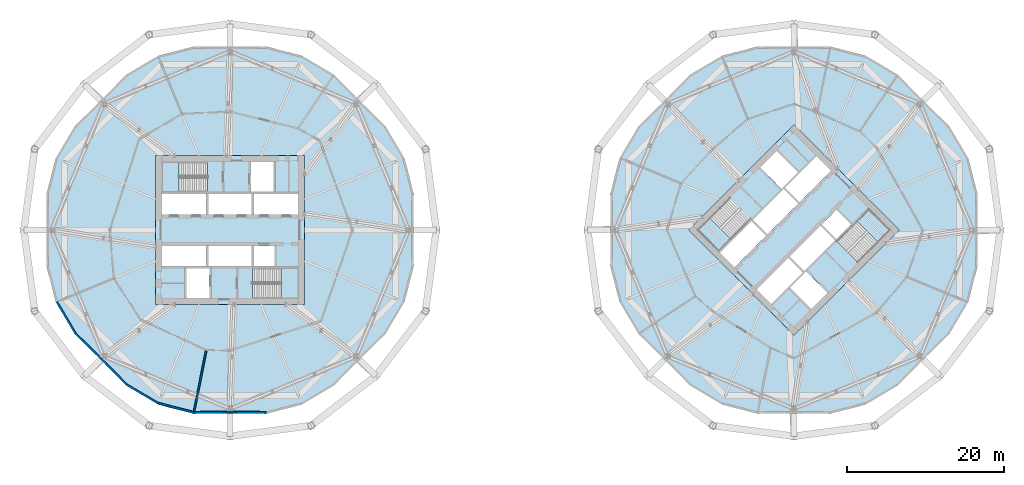
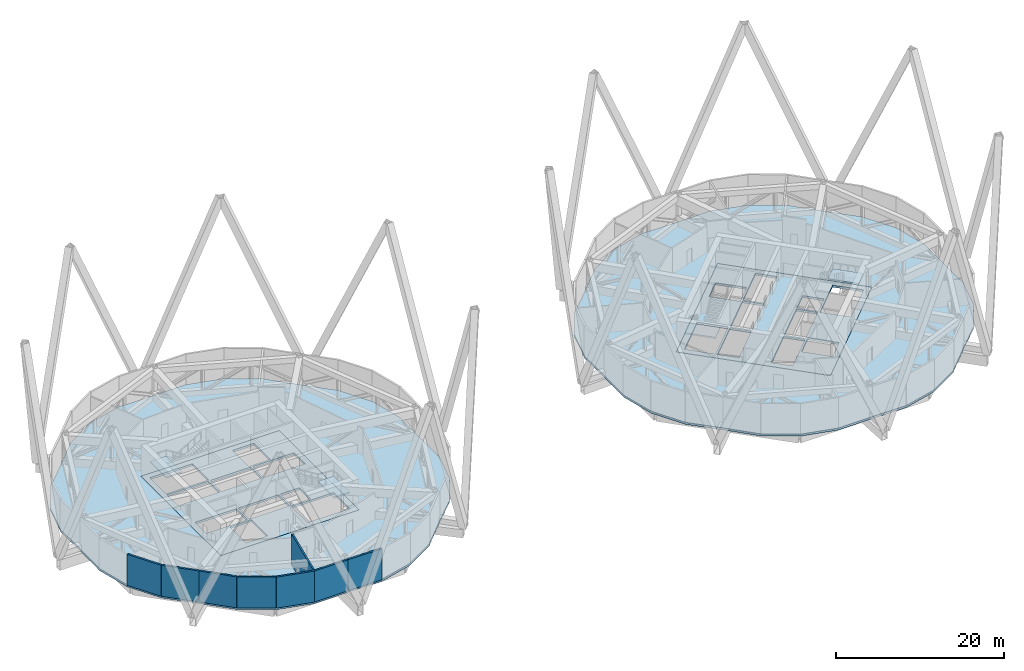
# One storey, part 13 of 21: 8 slabs, 8 walls, 4 elements without a shape of their own.
"""IFC4 building model written with IfcOpenShell, lengths in metres."""

import ifcopenshell
import ifcopenshell.guid

model = None  # the IFC model being written
_history = None  # IfcOwnerHistory: only IFC2X3 demands one
_inside = {}  # id of a spatial element -> (the spatial element, [elements in it])
_under = {}  # id of a project, library or spatial element -> (it, [spatial elements below it])
_declared = {}  # id of a project -> (the project, [libraries it declares])
_typed = {}  # id of a type object -> (the type object, [elements of that type])
_made_of = {}  # id of a material, layer set ... -> (it, [elements and type objects made of it])


def new_model(schema):
    """Start an empty IFC model of exactly this schema.

    Asked for "IFC4X3", IfcOpenShell would pick the latest addendum, in which some entities
    have other attributes; the version numbers below select the first issue.
    IFC2X3 requires an IfcOwnerHistory on every rooted entity: one is made here for all.
    """
    global model, _history
    if schema == "IFC4X3":
        model = ifcopenshell.file(schema_version=(4, 3, 0, 0))
    else:
        model = ifcopenshell.file(schema=schema)
    _inside.clear()
    _under.clear()
    _declared.clear()
    _typed.clear()
    _made_of.clear()
    _history = None
    if model.schema == "IFC2X3":
        org = make("IfcOrganization", Name="unknown")
        user = make(
            "IfcPersonAndOrganization",
            ThePerson=make("IfcPerson", FamilyName="unknown"),
            TheOrganization=org,
        )
        app = make(
            "IfcApplication",
            ApplicationDeveloper=org,
            Version="unknown",
            ApplicationFullName="unknown",
            ApplicationIdentifier="unknown",
        )
        _history = make(
            "IfcOwnerHistory",
            OwningUser=user,
            OwningApplication=app,
            ChangeAction="ADDED",
            CreationDate=0,
        )
    return model


def make(cls, **values):
    """One entity of the class cls with the attributes given. An attribute that is None is left unset."""
    return model.create_entity(
        cls, **{name: value for name, value in values.items() if value is not None}
    )


def rooted(cls, **values):
    """An entity with a GlobalId (a new one), such as an element, a storey or a relation."""
    return make(cls, GlobalId=ifcopenshell.guid.new(), OwnerHistory=_history, **values)


def si_unit(unit_type, name, prefix=None):
    """IfcSIUnit, for example si_unit("LENGTHUNIT", "METRE", prefix="MILLI")."""
    return make("IfcSIUnit", UnitType=unit_type, Prefix=prefix, Name=name)


def assignment(units):
    """IfcUnitAssignment: the units of a project."""
    return None if units is None else make("IfcUnitAssignment", Units=units)


def point(xyz):
    """IfcCartesianPoint."""
    return None if xyz is None else make("IfcCartesianPoint", Coordinates=xyz)


def direction(xyz):
    """IfcDirection."""
    return None if xyz is None else make("IfcDirection", DirectionRatios=xyz)


def frame(location, z_axis=None, x_axis=None):
    """IfcAxis2Placement3D, a coordinate frame: its origin and axes. An axis left out is left unset."""
    return make(
        "IfcAxis2Placement3D",
        Location=point(location),
        Axis=direction(z_axis),
        RefDirection=direction(x_axis),
    )


def frame_2d(location, x_axis=None):
    """IfcAxis2Placement2D, a coordinate frame in the plane: its origin and x axis."""
    return make(
        "IfcAxis2Placement2D", Location=point(location), RefDirection=direction(x_axis)
    )


def origin():
    """The frame at (0, 0, 0) with its axes left unset."""
    return frame((0.0, 0.0, 0.0))


def place(relative_to, where):
    """IfcLocalPlacement: puts the frame where relative to a parent placement (None: the world)."""
    return make(
        "IfcLocalPlacement", PlacementRelTo=relative_to, RelativePlacement=where
    )


def context(
    kind, dimensions, precision=None, world=None, true_north=None, identifier=None
):
    """IfcGeometricRepresentationContext, for example the 3D "Model" context."""
    return make(
        "IfcGeometricRepresentationContext",
        ContextIdentifier=identifier,
        ContextType=kind,
        CoordinateSpaceDimension=dimensions,
        Precision=precision,
        WorldCoordinateSystem=world,
        TrueNorth=true_north,
    )


def subcontext(parent, identifier, kind, view, scale=None):
    """IfcGeometricRepresentationSubContext, for example "Body" below "Model"."""
    return make(
        "IfcGeometricRepresentationSubContext",
        ContextIdentifier=identifier,
        ContextType=kind,
        ParentContext=parent,
        TargetScale=scale,
        TargetView=view,
    )


def project(units=None, contexts=None):
    """IfcProject with its units and contexts."""
    return rooted(
        "IfcProject",
        Name="project",
        RepresentationContexts=contexts,
        UnitsInContext=assignment(units),
    )


def spatial(cls, under=None, at=None, **own):
    """A site, building, storey or space (cls), placed at a placement, below another one or the project."""
    s = rooted(cls, ObjectPlacement=at, **own)
    if under is not None:
        _under.setdefault(under.id(), (under, []))[1].append(s)
    return s


def polyline(points):
    """IfcPolyline through the points."""
    return make("IfcPolyline", Points=[point(p) for p in points])


def profile(cls, at=None, kind="AREA", **sizes):
    """A parametric profile (cls). Its sizes go by their IFC names, for example OverallWidth=200.0."""
    return make(cls, ProfileType=kind, Position=at, **sizes)


def rectangle(**sizes):
    """IfcRectangleProfileDef."""
    return profile("IfcRectangleProfileDef", **sizes)


def outline(outer, holes=None, kind="AREA"):
    """IfcArbitraryClosedProfileDef: a profile drawn as a closed curve; with holes, ...WithVoids."""
    if holes is None:
        return make("IfcArbitraryClosedProfileDef", ProfileType=kind, OuterCurve=outer)
    return make(
        "IfcArbitraryProfileDefWithVoids",
        ProfileType=kind,
        OuterCurve=outer,
        InnerCurves=holes,
    )


def extrude(swept, where, along, depth):
    """IfcExtrudedAreaSolid: the profile swept, set in the frame where, extruded along a direction by depth."""
    return make(
        "IfcExtrudedAreaSolid",
        SweptArea=swept,
        Position=where,
        ExtrudedDirection=direction(along),
        Depth=depth,
    )


def shape(context_of_items, identifier, shape_type, items):
    """IfcShapeRepresentation: the items that make up one representation, for example the "Body"."""
    return make(
        "IfcShapeRepresentation",
        ContextOfItems=context_of_items,
        RepresentationIdentifier=identifier,
        RepresentationType=shape_type,
        Items=items,
    )


def material(Name=None, Category=None):
    """IfcMaterial."""
    return make("IfcMaterial", Name=Name, Category=Category)


def layer(
    of_material, thickness, ventilated=None, Name=None, Category=None, Priority=None
):
    """IfcMaterialLayer: one layer of a wall or slab, of a material (None: an air gap)."""
    return make(
        "IfcMaterialLayer",
        Material=of_material,
        LayerThickness=thickness,
        IsVentilated=ventilated,
        Name=Name,
        Category=Category,
        Priority=Priority,
    )


def layer_set(layers, Name=None):
    """IfcMaterialLayerSet."""
    return make("IfcMaterialLayerSet", MaterialLayers=layers, LayerSetName=Name)


def made_of(thing, what):
    """Note that an element or type object is made of a material, layer set ...; save() writes the relation."""
    if what is not None:
        _made_of.setdefault(what.id(), (what, []))[1].append(thing)
    return thing


def type_object(cls, material=None, **own):
    """A type object (cls), such as IfcWallType, which elements share."""
    return made_of(rooted(cls, **own), material)


def element(
    cls,
    number,
    at=None,
    inside=None,
    cuts=None,
    type_object=None,
    material=None,
    context=None,
    identifier="Body",
    shape_type=None,
    held_by="IfcProductDefinitionShape",
    body=None,
    shapes=None,
    **own,
):
    """One element of the class cls, such as IfcWall. Its Tag is "e" and its number.

    at: its placement. inside: the storey or other place that contains it. cuts: it is an
    opening in that element (IfcRelVoidsElement). A single representation is given by context,
    identifier, shape_type and body (its items); several are given by shapes. held_by: the class
    of the entity that holds the representations. save() writes the other relations.
    """
    e = rooted(cls, Tag="e%d" % number, ObjectPlacement=at, **own)
    if body is not None:
        shapes = [shape(context, identifier, shape_type, body)]
    if shapes is not None:
        e.Representation = make(held_by, Representations=shapes)
    if inside is not None:
        _inside.setdefault(inside.id(), (inside, []))[1].append(e)
    if cuts is not None:
        rooted(
            "IfcRelVoidsElement", RelatingBuildingElement=cuts, RelatedOpeningElement=e
        )
    if type_object is not None:
        _typed.setdefault(type_object.id(), (type_object, []))[1].append(e)
    return made_of(e, material)


def aggregate(whole, parts):
    """IfcRelAggregates: a whole, such as a stair, and the parts it consists of."""
    return rooted("IfcRelAggregates", RelatingObject=whole, RelatedObjects=parts)


def save(model, path):
    """Write the relations noted so far, then the file.

    IfcRelAggregates (storeys below a building ...), IfcRelContainedInSpatialStructure (elements
    in a storey), IfcRelDefinesByType, IfcRelAssociatesMaterial and IfcRelDeclares: one each for
    every whole, place, type object, material and project.
    """
    for whole, parts in _under.values():
        aggregate(whole, parts)
    for where, things in _inside.values():
        rooted(
            "IfcRelContainedInSpatialStructure",
            RelatedElements=things,
            RelatingStructure=where,
        )
    for kind, things in _typed.values():
        rooted("IfcRelDefinesByType", RelatedObjects=things, RelatingType=kind)
    for what, things in _made_of.values():
        rooted("IfcRelAssociatesMaterial", RelatedObjects=things, RelatingMaterial=what)
    for by, libraries in _declared.values():
        rooted("IfcRelDeclares", RelatingContext=by, RelatedDefinitions=libraries)
    model.write(path)


model = new_model("IFC4")

# Units and contexts
model_context = context("Model", 3, precision=1e-05, world=origin(), true_north=direction((0.0, 1.0)))
body_context = subcontext(model_context, "Body", "Model", "MODEL_VIEW")
ifc_project = project(units=[si_unit("LENGTHUNIT", "METRE"), si_unit("AREAUNIT", "SQUARE_METRE"), si_unit("VOLUMEUNIT", "CUBIC_METRE"), si_unit("PLANEANGLEUNIT", "RADIAN"), si_unit("MASSUNIT", "GRAM", prefix="KILO")], contexts=[model_context])

# Site, building, storey
site_placement = place(None, origin())
site = spatial("IfcSite", under=ifc_project, at=site_placement, CompositionType="ELEMENT")
building_placement = place(site_placement, origin())
building = spatial("IfcBuilding", under=site, at=building_placement, Name="Ogive Gate Towers", CompositionType="ELEMENT")
storey_placement = place(building_placement, frame((0.0, 0.0, 71.39990234375)))
storey = spatial("IfcBuildingStorey", under=building, at=storey_placement, Name="L16", CompositionType="ELEMENT", Elevation=71.39990234375)

# Slabs
ifc_material_1 = material(Name="Concrete C40/50", Category="concrete")
ifc_layer_1 = layer(ifc_material_1, 0.300048828125)
ifc_layer_set_1 = layer_set([ifc_layer_1], Name="Core slab C40/50 300 mm")
slab_type_1 = type_object("IfcSlabType", Name="Core slab C40/50 300 mm", PredefinedType="FLOOR", material=ifc_layer_set_1)
slab_1_placement = place(storey_placement, frame((0.0, 0.0, -0.2998046875)))
element("IfcSlab", 1, at=slab_1_placement, inside=storey, type_object=slab_type_1, Name="T1 L16 core slab", PredefinedType="FLOOR", context=body_context, shape_type="SweptSolid", body=[
    extrude(outline(polyline([(-26.5, 9.5), (-26.5, -9.5), (-45.5, -9.5), (-45.5, 9.5), (-26.5, 9.5)]), holes=[polyline([(-39.02490234375, 4.625), (-44.699951171875, 4.625), (-44.699951171875, 2.0), (-39.02490234375, 2.0), (-39.02490234375, 4.625)]), polyline([(-33.22509765625, 2.0), (-33.22509765625, 4.625), (-38.77490234375, 4.625), (-38.77490234375, 2.0), (-33.22509765625, 2.0)]), polyline([(-32.97509765625, 2.0), (-27.300048828125, 2.0), (-27.300048828125, 4.625), (-32.97509765625, 4.625), (-32.97509765625, 2.0)]), polyline([(-44.699951171875, -2.0), (-44.699951171875, -4.625), (-39.02490234375, -4.625), (-39.02490234375, -2.0), (-44.699951171875, -2.0)]), polyline([(-33.22509765625, -2.0), (-38.77490234375, -2.0), (-38.77490234375, -4.625), (-33.22509765625, -4.625), (-33.22509765625, -2.0)]), polyline([(-30.324951171875, -4.625), (-30.324951171875, -2.0), (-32.97509765625, -2.0), (-32.97509765625, -4.625), (-30.324951171875, -4.625)]), polyline([(-33.375, 4.875), (-30.425048828125, 4.875), (-30.425048828125, 8.699951171875), (-33.375, 8.699951171875), (-33.375, 4.875)]), polyline([(-41.574951171875, -4.875), (-41.574951171875, -8.699951171875), (-38.625, -8.699951171875), (-38.625, -4.875), (-41.574951171875, -4.875)]), polyline([(-44.699951171875, 4.875), (-38.885009765625, 4.875), (-38.885009765625, 8.699951171875), (-44.699951171875, 8.699951171875), (-44.699951171875, 4.875)]), polyline([(-27.300048828125, -8.699951171875), (-27.300048828125, -4.875), (-33.114990234375, -4.875), (-33.114990234375, -8.699951171875), (-27.300048828125, -8.699951171875)])]), origin(), (0.0, 0.0, 1.0), 0.2998046875),
])
slab_2_placement = place(storey_placement, frame((0.0, 0.0, -0.2998046875)))
element("IfcSlab", 2, at=slab_2_placement, inside=storey, type_object=slab_type_1, Name="T2 L16 core slab", PredefinedType="FLOOR", context=body_context, shape_type="SweptSolid", body=[
    extrude(outline(polyline([(36.0, 13.43505859375), (49.43505859375, 0.0), (36.0, -13.43505859375), (22.56494140625, 0.0), (36.0, 13.43505859375)]), holes=[polyline([(30.590576171875, 1.13134765625), (26.577880859375, -2.881591796875), (28.43408203125, -4.737548828125), (32.44677734375, -0.724853515625), (30.590576171875, 1.13134765625)]), polyline([(36.548095703125, 3.37646484375), (34.69189453125, 5.232666015625), (30.767333984375, 1.30810546875), (32.62353515625, -0.548095703125), (36.548095703125, 3.37646484375)]), polyline([(36.724853515625, 3.55322265625), (40.737548828125, 7.56591796875), (38.881591796875, 9.422119140625), (34.86865234375, 5.409423828125), (36.724853515625, 3.55322265625)]), polyline([(31.262451171875, -7.56591796875), (33.118408203125, -9.422119140625), (37.13134765625, -5.409423828125), (35.275146484375, -3.55322265625), (31.262451171875, -7.56591796875)]), polyline([(39.37646484375, 0.548095703125), (35.451904296875, -3.37646484375), (37.30810546875, -5.232666015625), (41.232666015625, -1.30810546875), (39.37646484375, 0.548095703125)]), polyline([(43.283203125, 0.742431640625), (41.427001953125, 2.5986328125), (39.55322265625, 0.724853515625), (41.409423828125, -1.13134765625), (43.283203125, 0.742431640625)]), polyline([(34.408935546875, 5.30322265625), (36.4951171875, 7.389404296875), (33.790283203125, 10.093994140625), (31.704345703125, 8.008056640625), (34.408935546875, 5.30322265625)]), polyline([(35.5048828125, -7.389404296875), (38.209716796875, -10.093994140625), (40.295654296875, -8.008056640625), (37.591064453125, -5.30322265625), (35.5048828125, -7.389404296875)]), polyline([(26.40087890625, -2.70458984375), (30.512939453125, 1.406982421875), (27.80810546875, 4.11181640625), (23.6962890625, 0.0), (26.40087890625, -2.70458984375)]), polyline([(48.3037109375, 0.0), (45.59912109375, 2.70458984375), (41.487060546875, -1.406982421875), (44.19189453125, -4.11181640625), (48.3037109375, 0.0)])]), origin(), (0.0, 0.0, 1.0), 0.2998046875),
])
ifc_material_2 = material(Name="Concrete C35/45", Category="concrete")
ifc_layer_2 = layer(ifc_material_2, 0.300048828125)
ifc_layer_set_2 = layer_set([ifc_layer_2], Name="Floor slab 300")
slab_type_2 = type_object("IfcSlabType", Name="Floor slab 300", PredefinedType="FLOOR", material=ifc_layer_set_2)
slab_3_placement = place(storey_placement, frame((0.0, 0.0, -0.2998046875)))
element("IfcSlab", 3, at=slab_3_placement, inside=storey, type_object=slab_type_2, Name="T1/L16/SSL001", PredefinedType="FLOOR", context=body_context, shape_type="SweptSolid", body=[
    extrude(outline(polyline([(-12.677001953125, -4.63916015625), (-12.719970703125, 0.0), (-12.677001953125, 4.63916015625), (-13.845458984375, 9.1767578125), (-16.2275390625, 13.21142578125), (-19.53857421875, 16.46142578125), (-22.78857421875, 19.7724609375), (-26.8232421875, 22.154541015625), (-31.36083984375, 23.322998046875), (-36.0, 23.280029296875), (-40.63916015625, 23.322998046875), (-45.1767578125, 22.154541015625), (-49.21142578125, 19.7724609375), (-52.46142578125, 16.46142578125), (-55.7724609375, 13.21142578125), (-58.154541015625, 9.1767578125), (-59.322998046875, 4.63916015625), (-59.280029296875, 0.0), (-59.322998046875, -4.63916015625), (-58.154541015625, -9.1767578125), (-55.7724609375, -13.21142578125), (-52.46142578125, -16.46142578125), (-49.21142578125, -19.7724609375), (-45.1767578125, -22.154541015625), (-40.63916015625, -23.322998046875), (-36.0, -23.280029296875), (-31.36083984375, -23.322998046875), (-26.8232421875, -22.154541015625), (-22.78857421875, -19.7724609375), (-19.53857421875, -16.46142578125), (-16.2275390625, -13.21142578125), (-13.845458984375, -9.1767578125), (-12.677001953125, -4.63916015625)]), holes=[polyline([(-26.5, -9.5), (-45.5, -9.5), (-45.5, 9.5), (-26.5, 9.5), (-26.5, -9.5)])]), origin(), (0.0, 0.0, 1.0), 0.2998046875),
])
slab_4_placement = place(storey_placement, frame((0.0, 0.0, -0.2998046875)))
element("IfcSlab", 4, at=slab_4_placement, inside=storey, type_object=slab_type_2, Name="T2/L16/SSL001", PredefinedType="FLOOR", context=body_context, shape_type="SweptSolid", body=[
    extrude(outline(polyline([(59.322998046875, -4.63916015625), (59.280029296875, 0.0), (59.322998046875, 4.63916015625), (58.154541015625, 9.1767578125), (55.7724609375, 13.21142578125), (52.46142578125, 16.46142578125), (49.21142578125, 19.7724609375), (45.1767578125, 22.154541015625), (40.63916015625, 23.322998046875), (36.0, 23.280029296875), (31.36083984375, 23.322998046875), (26.8232421875, 22.154541015625), (22.78857421875, 19.7724609375), (19.53857421875, 16.46142578125), (16.2275390625, 13.21142578125), (13.845458984375, 9.1767578125), (12.677001953125, 4.63916015625), (12.719970703125, 0.0), (12.677001953125, -4.63916015625), (13.845458984375, -9.1767578125), (16.2275390625, -13.21142578125), (19.53857421875, -16.46142578125), (22.78857421875, -19.7724609375), (26.8232421875, -22.154541015625), (31.36083984375, -23.322998046875), (36.0, -23.280029296875), (40.63916015625, -23.322998046875), (45.1767578125, -22.154541015625), (49.21142578125, -19.7724609375), (52.46142578125, -16.46142578125), (55.7724609375, -13.21142578125), (58.154541015625, -9.1767578125), (59.322998046875, -4.63916015625)]), holes=[polyline([(49.43505859375, 0.0), (36.0, -13.43505859375), (22.56494140625, 0.0), (36.0, 13.43505859375), (49.43505859375, 0.0)])]), origin(), (0.0, 0.0, 1.0), 0.2998046875),
])

# Stair, slab
stair_type = type_object("IfcStairType", Name="Escape stair 1840 wide", PredefinedType="HALF_TURN_STAIR", material=ifc_material_1)
stair_1_placement = place(storey_placement, origin())
stair_1 = element("IfcStair", 5, at=stair_1_placement, inside=storey, type_object=stair_type, Name="L16 Escape stair 1", PredefinedType="HALF_TURN_STAIR")
ifc_layer_3 = layer(ifc_material_1, 0.199951171875)
ifc_layer_set_3 = layer_set([ifc_layer_3], Name="Stair landing 200 mm")
slab_type_3 = type_object("IfcSlabType", Name="Stair landing 200 mm", PredefinedType="LANDING", material=ifc_layer_set_3)
slab_5_placement = place(storey_placement, frame((0.0, 0.0, 2.2001953125)))
slab_5 = element("IfcSlab", 6, at=slab_5_placement, type_object=slab_type_3, Name="ST1 landing 1", PredefinedType="LANDING", context=body_context, shape_type="SweptSolid", body=[
    extrude(outline(polyline([(-42.5048828125, 8.699951171875), (-44.699951171875, 8.699951171875), (-44.699951171875, 4.875), (-42.5048828125, 4.875), (-42.5048828125, 8.699951171875)])), origin(), (0.0, 0.0, 1.0), 0.199951171875),
])
aggregate(stair_1, [slab_5])

stair_2_placement = place(storey_placement, origin())
stair_2 = element("IfcStair", 7, at=stair_2_placement, inside=storey, type_object=stair_type, Name="L16 Escape stair 2", PredefinedType="HALF_TURN_STAIR")
slab_6_placement = place(storey_placement, frame((0.0, 0.0, 2.2001953125)))
slab_6 = element("IfcSlab", 8, at=slab_6_placement, type_object=slab_type_3, Name="ST2 landing 1", PredefinedType="LANDING", context=body_context, shape_type="SweptSolid", body=[
    extrude(outline(polyline([(-29.4951171875, -8.699951171875), (-27.300048828125, -8.699951171875), (-27.300048828125, -4.875), (-29.4951171875, -4.875), (-29.4951171875, -8.699951171875)])), origin(), (0.0, 0.0, 1.0), 0.199951171875),
])
aggregate(stair_2, [slab_6])

stair_3_placement = place(storey_placement, origin())
stair_3 = element("IfcStair", 9, at=stair_3_placement, inside=storey, type_object=stair_type, Name="L16 Escape stair 1", PredefinedType="HALF_TURN_STAIR")
slab_7_placement = place(storey_placement, frame((0.0, 0.0, 2.2001953125)))
slab_7 = element("IfcSlab", 10, at=slab_7_placement, type_object=slab_type_3, Name="ST1 landing 1", PredefinedType="LANDING", context=body_context, shape_type="SweptSolid", body=[
    extrude(outline(polyline([(25.24853515625, 1.552001953125), (23.6962890625, 0.0), (26.401123046875, -2.70458984375), (27.953125, -1.152587890625), (25.24853515625, 1.552001953125)])), origin(), (0.0, 0.0, 1.0), 0.199951171875),
])
aggregate(stair_3, [slab_7])

stair_4_placement = place(storey_placement, origin())
stair_4 = element("IfcStair", 11, at=stair_4_placement, inside=storey, type_object=stair_type, Name="L16 Escape stair 2", PredefinedType="HALF_TURN_STAIR")
slab_8_placement = place(storey_placement, frame((0.0, 0.0, 2.2001953125)))
slab_8 = element("IfcSlab", 12, at=slab_8_placement, type_object=slab_type_3, Name="ST2 landing 1", PredefinedType="LANDING", context=body_context, shape_type="SweptSolid", body=[
    extrude(outline(polyline([(46.75146484375, -1.552001953125), (48.3037109375, 0.0), (45.598876953125, 2.70458984375), (44.046875, 1.152587890625), (46.75146484375, -1.552001953125)])), origin(), (0.0, 0.0, 1.0), 0.199951171875),
])
aggregate(stair_4, [slab_8])

# Walls
ifc_material_3 = material(Name="Fire-rated block compartment wall")
ifc_layer_4 = layer(ifc_material_3, 0.199951171875)
ifc_layer_set_4 = layer_set([ifc_layer_4], Name="Compartment wall 200")
wall_type_1 = type_object("IfcWallType", Name="Compartment wall 200", PredefinedType="PARTITIONING", material=ifc_layer_set_4)
wall_1_placement = place(storey_placement, frame((-40.6318359375, -23.32421875, 0.0), z_axis=(0.0, 0.0, 1.0), x_axis=(0.194793077543, 0.980844359183, 0.0)))
element("IfcWall", 13, at=wall_1_placement, inside=storey, type_object=wall_type_1, Name="Partition T1-L16-004", PredefinedType="PARTITIONING", context=body_context, shape_type="SweptSolid", body=[
    extrude(rectangle(XDim=8.056396484375, YDim=0.199951171875, at=frame_2d((4.0283203125, 0.0))), origin(), (0.0, 0.0, 1.0), 4.5),
])
ifc_material_4 = material(Name="Pale metal aluminium louvre", Category="aluminium")
ifc_layer_5 = layer(ifc_material_4, 0.25)
ifc_layer_set_5 = layer_set([ifc_layer_5], Name="Plant louvre wall")
wall_type_2 = type_object("IfcWallType", Name="Plant louvre wall", PredefinedType="SOLIDWALL", material=ifc_layer_set_5)
wall_2_placement = place(storey_placement, frame((-58.13134765625, -9.1669921875, 0.0), z_axis=(0.0, 0.0, 1.0), x_axis=(0.508451519792, -0.861090617776, 0.0)))
element("IfcWall", 14, at=wall_2_placement, inside=storey, type_object=wall_type_2, Name="Plant louvre wall", PredefinedType="SOLIDWALL", context=body_context, shape_type="SweptSolid", body=[
    extrude(rectangle(XDim=4.6787109375, YDim=0.25, at=frame_2d((2.33935546875, 0.0))), origin(), (0.0, 0.0, 1.0), 4.5),
])
for number, where, z_axis, x_axis, name in (
    (15, (-55.75244140625, -13.19580078125, 0.0), (0.0, 0.0, 1.0), (0.713606087495, -0.700547180345, 0.0), "Plant louvre wall"),
    (16, (-52.44384765625, -16.44384765625, 0.0), (0.0, 0.0, 1.0), (0.700547180345, -0.713606087495, 0.0), "Plant louvre wall"),
):
    element("IfcWall", number, at=place(storey_placement, frame(where, z_axis=z_axis, x_axis=x_axis)), inside=storey, type_object=wall_type_2, Name=name, PredefinedType="SOLIDWALL", context=body_context, shape_type="SweptSolid", body=[
        extrude(rectangle(XDim=4.636474609375, YDim=0.25, at=frame_2d((2.318359375, 0.0))), origin(), (0.0, 0.0, 1.0), 4.5),
    ])
wall_3_placement = place(storey_placement, frame((-49.19580078125, -19.75244140625, 0.0), z_axis=(0.0, 0.0, 1.0), x_axis=(0.861090617776, -0.508451519792, 0.0)))
element("IfcWall", 17, at=wall_3_placement, inside=storey, type_object=wall_type_2, Name="Plant louvre wall", PredefinedType="SOLIDWALL", context=body_context, shape_type="SweptSolid", body=[
    extrude(rectangle(XDim=4.6787109375, YDim=0.25, at=frame_2d((2.33935546875, 0.0))), origin(), (0.0, 0.0, 1.0), 4.5),
])
wall_4_placement = place(storey_placement, frame((-45.1669921875, -22.13134765625, 0.0), z_axis=(0.0, 0.0, 1.0), x_axis=(0.968405489026, -0.249380850957, 0.0)))
element("IfcWall", 18, at=wall_4_placement, inside=storey, type_object=wall_type_2, Name="Plant louvre wall", PredefinedType="SOLIDWALL", context=body_context, shape_type="SweptSolid", body=[
    extrude(rectangle(XDim=4.678466796875, YDim=0.25, at=frame_2d((2.33935546875, 0.0))), origin(), (0.0, 0.0, 1.0), 4.5),
])
for number, where, z_axis, x_axis, name in (
    (19, (-40.63623046875, -23.298095703125, 0.0), (0.0, 0.0, 1.0), (0.999956565151, 0.00932029026, 0.0), "Plant louvre wall"),
    (20, (-36.0, -23.2548828125, 0.0), (0.0, 0.0, 1.0), (0.999956565151, -0.00932029026, 0.0), "Plant louvre wall"),
):
    element("IfcWall", number, at=place(storey_placement, frame(where, z_axis=z_axis, x_axis=x_axis)), inside=storey, type_object=wall_type_2, Name=name, PredefinedType="SOLIDWALL", context=body_context, shape_type="SweptSolid", body=[
        extrude(rectangle(XDim=4.636474609375, YDim=0.25, at=frame_2d((2.318359375, 0.0))), origin(), (0.0, 0.0, 1.0), 4.5),
    ])

save(model, "model.ifc")
